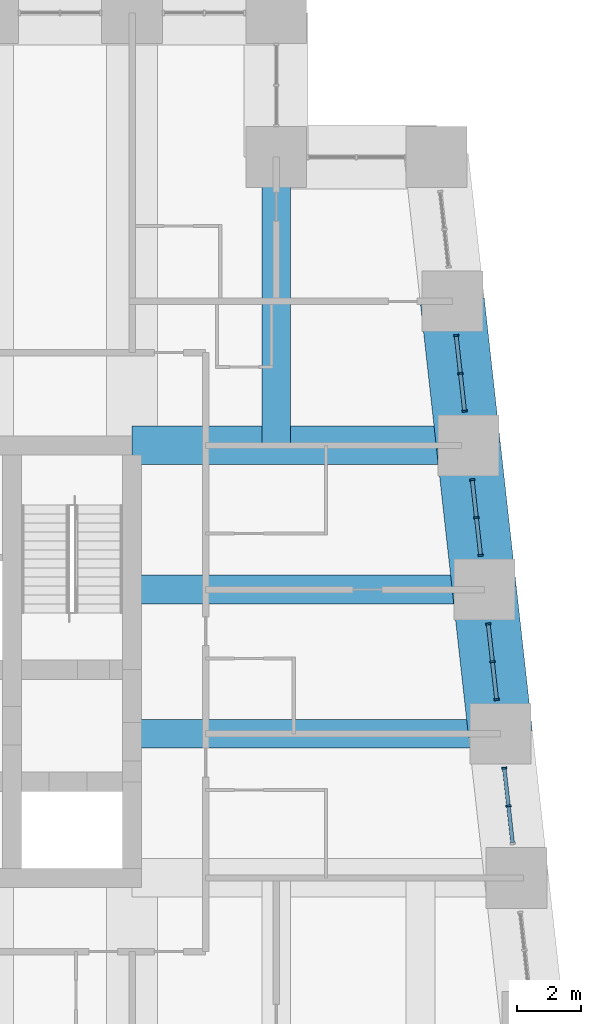
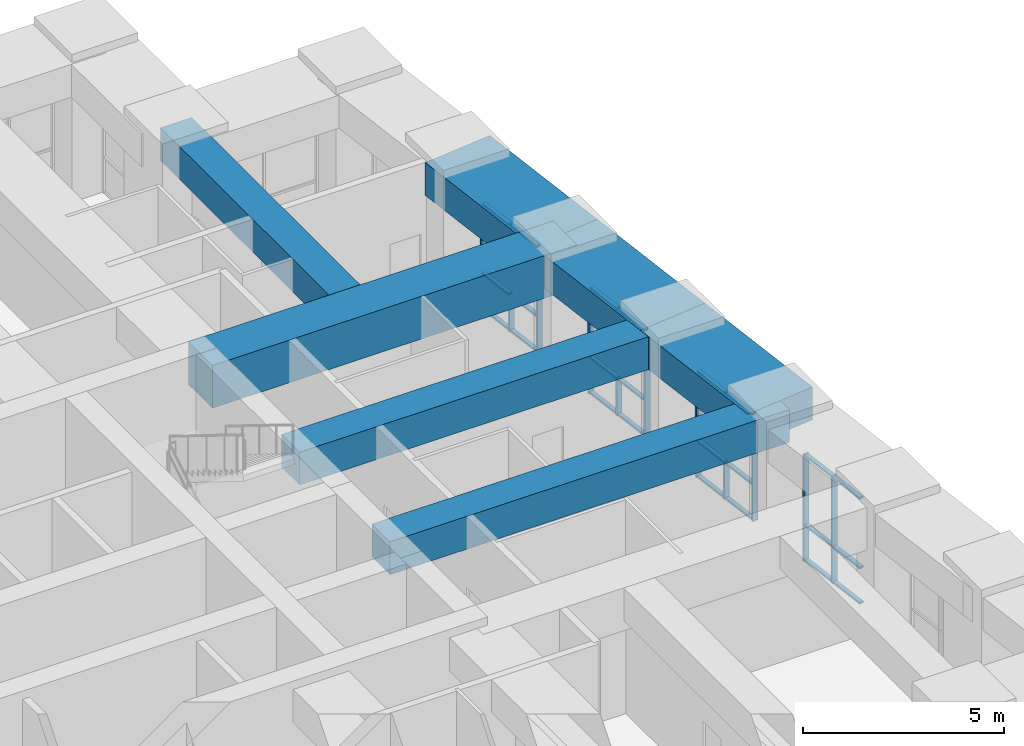
# One storey, part 6 of 16: 35 members, 7 beams, 4 elements without a shape of their own.
"""IFC4 building model written with IfcOpenShell, lengths in metres."""

from ifc_helpers import new_model, si_unit, direction, frame, origin, origin_2d, place, context, subcontext, project, spatial, rectangle, extrude, material, material_profile, profile_set, type_object, element, aggregate, save


model = new_model("IFC4")

# Units and contexts
model_context = context("Model", 3, precision=1e-05, world=origin(), true_north=direction((0.0, 1.0)))
body_context = subcontext(model_context, "Body", "Model", "MODEL_VIEW")
ifc_project = project(units=[si_unit("LENGTHUNIT", "METRE"), si_unit("AREAUNIT", "SQUARE_METRE"), si_unit("VOLUMEUNIT", "CUBIC_METRE"), si_unit("PLANEANGLEUNIT", "RADIAN"), si_unit("MASSUNIT", "GRAM", prefix="KILO")], contexts=[model_context])

# Site, building, storey
site_placement = place(None, origin())
site = spatial("IfcSite", under=ifc_project, at=site_placement, CompositionType="ELEMENT")
building_placement = place(site_placement, origin())
building = spatial("IfcBuilding", under=site, at=building_placement, Name="Kilele Tower Hotel", CompositionType="ELEMENT")
storey_placement = place(building_placement, frame((0.0, 0.0, 157.89990234375)))
storey = spatial("IfcBuildingStorey", under=building, at=storey_placement, Name="L40", CompositionType="ELEMENT", Elevation=157.89990234375)

# Beams
ifc_material_1 = material(Name="Concrete C60/75", Category="concrete")
ifc_material_profile_1 = material_profile(ifc_material_1, rectangle(XDim=0.89990234375, YDim=1.0, at=origin_2d()))
ifc_profile_set_1 = profile_set([ifc_material_profile_1], Name="Concrete C60/75")
beam_type_1 = type_object("IfcBeamType", Name="Beam RC 900x1000 C60/75", PredefinedType="BEAM", material=ifc_profile_set_1)
beam_1_placement = place(storey_placement, frame((47.5, 18.0, 3.75), z_axis=(-1.0, 0.0, 0.0), x_axis=(0.0, -1.0, 0.0)))
element("IfcBeam", 1, at=beam_1_placement, inside=storey, type_object=beam_type_1, Name="Beam B8 level L41", PredefinedType="BEAM", context=body_context, shape_type="SweptSolid", body=[
    extrude(rectangle(XDim=0.89990234375, YDim=1.0, at=origin_2d()), origin(), (0.0, 0.0, 1.0), 11.5),
])
beam_2_placement = place(storey_placement, frame((47.0, 22.5, 3.75), z_axis=(-1.0, 0.0, 0.0), x_axis=(0.0, -1.0, 0.0)))
element("IfcBeam", 2, at=beam_2_placement, inside=storey, type_object=beam_type_1, Name="Beam B8 level L41", PredefinedType="BEAM", context=body_context, shape_type="SweptSolid", body=[
    extrude(rectangle(XDim=0.89990234375, YDim=1.0, at=origin_2d()), origin(), (0.0, 0.0, 1.0), 11.0),
])
beam_3_placement = place(storey_placement, frame((40.5, 36.0, 3.75), z_axis=(0.0, -1.0, 0.0), x_axis=(1.0, 0.0, 0.0)))
element("IfcBeam", 3, at=beam_3_placement, inside=storey, type_object=beam_type_1, Name="Beam B8 level L41", PredefinedType="BEAM", context=body_context, shape_type="SweptSolid", body=[
    extrude(rectangle(XDim=0.89990234375, YDim=1.0, at=origin_2d()), origin(), (0.0, 0.0, 1.0), 9.0),
])
ifc_material_2 = material(Name="Concrete C60/75", Category="concrete")
ifc_material_profile_2 = material_profile(ifc_material_2, rectangle(XDim=1.199951171875, YDim=1.300048828125, at=origin_2d()))
ifc_profile_set_2 = profile_set([ifc_material_profile_2], Name="Concrete C60/75")
beam_type_2 = type_object("IfcBeamType", Name="Girder RC 1200x1300 C60/75 mid span", PredefinedType="BEAM", material=ifc_profile_set_2)
beam_4_placement = place(storey_placement, frame((46.5, 27.0, 3.60009765625), z_axis=(-1.0, 0.0, 0.0), x_axis=(0.0, -1.0, 0.0)))
element("IfcBeam", 4, at=beam_4_placement, inside=storey, type_object=beam_type_2, Name="Girder G3 level L41", PredefinedType="BEAM", context=body_context, shape_type="SweptSolid", body=[
    extrude(rectangle(XDim=1.199951171875, YDim=1.300048828125, at=origin_2d()), origin(), (0.0, 0.0, 1.0), 10.5),
])

# Curtain wall, members
ifc_material_3 = material(Name="Aluminium curtain wall, clear double glazing", Category="aluminium")
curtain_wall_type = type_object("IfcCurtainWallType", Name="Club lounge curtain wall CW-4", PredefinedType="NOTDEFINED", material=ifc_material_3)
curtain_wall_1_placement = place(storey_placement, origin())
curtain_wall_1 = element("IfcCurtainWall", 5, at=curtain_wall_1_placement, inside=storey, type_object=curtain_wall_type, Name="Club lounge curtain wall CW-4 L40", PredefinedType="NOTDEFINED")
ifc_material_4 = material(Name="Aluminium EN AW-6063 T6", Category="aluminium")
ifc_material_profile_3 = material_profile(ifc_material_4, rectangle(XDim=0.159912109375, YDim=0.06005859375, at=origin_2d()))
ifc_profile_set_3 = profile_set([ifc_material_profile_3], Name="Aluminium EN AW-6063 T6")
member_type_1 = type_object("IfcMemberType", Name="Mullion 60x160 CW-4", PredefinedType="MULLION", material=ifc_profile_set_3)
member_1_placement = place(storey_placement, frame((47.75, 15.75, 0.0), z_axis=(0.0, 0.0, 1.0), x_axis=(-0.993883734714, -0.110431525712, 0.0)))
member_1 = element("IfcMember", 6, at=member_1_placement, type_object=member_type_1, Name="CW-4 mullion 2", PredefinedType="MULLION", context=body_context, shape_type="SweptSolid", body=[
    extrude(rectangle(XDim=0.159912109375, YDim=0.06005859375, at=origin_2d()), origin(), (0.0, 0.0, 1.0), 3.25),
])
member_2_placement = place(storey_placement, frame((47.619140625, 16.927490234375, 0.0), z_axis=(0.0, 0.0, 1.0), x_axis=(-0.993883734714, -0.110431525712, 0.0)))
member_2 = element("IfcMember", 7, at=member_2_placement, type_object=member_type_1, Name="CW-4 mullion 3", PredefinedType="MULLION", context=body_context, shape_type="SweptSolid", body=[
    extrude(rectangle(XDim=0.159912109375, YDim=0.06005859375, at=origin_2d()), origin(), (0.0, 0.0, 1.0), 3.25),
])

curtain_wall_2_placement = place(storey_placement, origin())
curtain_wall_2 = element("IfcCurtainWall", 8, at=curtain_wall_2_placement, inside=storey, type_object=curtain_wall_type, Name="Club lounge curtain wall CW-4 L40", PredefinedType="NOTDEFINED")
member_3_placement = place(storey_placement, frame((47.380859375, 19.072509765625, 0.0), z_axis=(0.0, 0.0, 1.0), x_axis=(-0.993883734714, -0.110431525712, 0.0)))
member_3 = element("IfcMember", 9, at=member_3_placement, type_object=member_type_1, Name="CW-4 mullion 1", PredefinedType="MULLION", context=body_context, shape_type="SweptSolid", body=[
    extrude(rectangle(XDim=0.159912109375, YDim=0.06005859375, at=origin_2d()), origin(), (0.0, 0.0, 1.0), 3.25),
])
member_4_placement = place(storey_placement, frame((47.25, 20.25, 0.0), z_axis=(0.0, 0.0, 1.0), x_axis=(-0.993883734714, -0.110431525712, 0.0)))
member_4 = element("IfcMember", 10, at=member_4_placement, type_object=member_type_1, Name="CW-4 mullion 2", PredefinedType="MULLION", context=body_context, shape_type="SweptSolid", body=[
    extrude(rectangle(XDim=0.159912109375, YDim=0.06005859375, at=origin_2d()), origin(), (0.0, 0.0, 1.0), 3.25),
])
member_5_placement = place(storey_placement, frame((47.119140625, 21.427490234375, 0.0), z_axis=(0.0, 0.0, 1.0), x_axis=(-0.993883734714, -0.110431525712, 0.0)))
member_5 = element("IfcMember", 11, at=member_5_placement, type_object=member_type_1, Name="CW-4 mullion 3", PredefinedType="MULLION", context=body_context, shape_type="SweptSolid", body=[
    extrude(rectangle(XDim=0.159912109375, YDim=0.06005859375, at=origin_2d()), origin(), (0.0, 0.0, 1.0), 3.25),
])

curtain_wall_3_placement = place(storey_placement, origin())
curtain_wall_3 = element("IfcCurtainWall", 12, at=curtain_wall_3_placement, inside=storey, type_object=curtain_wall_type, Name="Club lounge curtain wall CW-4 L40", PredefinedType="NOTDEFINED")
member_6_placement = place(storey_placement, frame((46.880859375, 23.572509765625, 0.0), z_axis=(0.0, 0.0, 1.0), x_axis=(-0.993883734714, -0.110431525712, 0.0)))
member_6 = element("IfcMember", 13, at=member_6_placement, type_object=member_type_1, Name="CW-4 mullion 1", PredefinedType="MULLION", context=body_context, shape_type="SweptSolid", body=[
    extrude(rectangle(XDim=0.159912109375, YDim=0.06005859375, at=origin_2d()), origin(), (0.0, 0.0, 1.0), 3.25),
])
member_7_placement = place(storey_placement, frame((46.75, 24.75, 0.0), z_axis=(0.0, 0.0, 1.0), x_axis=(-0.993883734714, -0.110431525712, 0.0)))
member_7 = element("IfcMember", 14, at=member_7_placement, type_object=member_type_1, Name="CW-4 mullion 2", PredefinedType="MULLION", context=body_context, shape_type="SweptSolid", body=[
    extrude(rectangle(XDim=0.159912109375, YDim=0.06005859375, at=origin_2d()), origin(), (0.0, 0.0, 1.0), 3.25),
])
member_8_placement = place(storey_placement, frame((46.619140625, 25.927490234375, 0.0), z_axis=(0.0, 0.0, 1.0), x_axis=(-0.993883734714, -0.110431525712, 0.0)))
member_8 = element("IfcMember", 15, at=member_8_placement, type_object=member_type_1, Name="CW-4 mullion 3", PredefinedType="MULLION", context=body_context, shape_type="SweptSolid", body=[
    extrude(rectangle(XDim=0.159912109375, YDim=0.06005859375, at=origin_2d()), origin(), (0.0, 0.0, 1.0), 3.25),
])

curtain_wall_4_placement = place(storey_placement, origin())
curtain_wall_4 = element("IfcCurtainWall", 16, at=curtain_wall_4_placement, inside=storey, type_object=curtain_wall_type, Name="Club lounge curtain wall CW-4 L40", PredefinedType="NOTDEFINED")
member_9_placement = place(storey_placement, frame((46.380859375, 28.072509765625, 0.0), z_axis=(0.0, 0.0, 1.0), x_axis=(-0.993883734714, -0.110431525712, 0.0)))
member_9 = element("IfcMember", 17, at=member_9_placement, type_object=member_type_1, Name="CW-4 mullion 1", PredefinedType="MULLION", context=body_context, shape_type="SweptSolid", body=[
    extrude(rectangle(XDim=0.159912109375, YDim=0.06005859375, at=origin_2d()), origin(), (0.0, 0.0, 1.0), 3.25),
])
member_10_placement = place(storey_placement, frame((46.25, 29.25, 0.0), z_axis=(0.0, 0.0, 1.0), x_axis=(-0.993883734714, -0.110431525712, 0.0)))
member_10 = element("IfcMember", 18, at=member_10_placement, type_object=member_type_1, Name="CW-4 mullion 2", PredefinedType="MULLION", context=body_context, shape_type="SweptSolid", body=[
    extrude(rectangle(XDim=0.159912109375, YDim=0.06005859375, at=origin_2d()), origin(), (0.0, 0.0, 1.0), 3.25),
])
member_11_placement = place(storey_placement, frame((46.119140625, 30.427490234375, 0.0), z_axis=(0.0, 0.0, 1.0), x_axis=(-0.993883734714, -0.110431525712, 0.0)))
member_11 = element("IfcMember", 19, at=member_11_placement, type_object=member_type_1, Name="CW-4 mullion 3", PredefinedType="MULLION", context=body_context, shape_type="SweptSolid", body=[
    extrude(rectangle(XDim=0.159912109375, YDim=0.06005859375, at=origin_2d()), origin(), (0.0, 0.0, 1.0), 3.25),
])

# Beams
ifc_material_5 = material(Name="Concrete C60/75", Category="concrete")
ifc_material_profile_4 = material_profile(ifc_material_5, rectangle(XDim=2.0, YDim=1.0, at=origin_2d()))
ifc_profile_set_4 = profile_set([ifc_material_profile_4], Name="Concrete C60/75")
beam_type_3 = type_object("IfcBeamType", Name="Spandrel RC 2000x1000 C60/75", PredefinedType="SPANDREL", material=ifc_profile_set_4)
for number, where, z_axis, x_axis, name in (
    (20, (47.5, 18.0, 3.75), (-0.110431526075, 0.993883734674, 0.0), (-0.993883734674, -0.110431526075, 0.0), "Spandrel SP3 level L41"),
    (21, (47.0, 22.5, 3.75), (-0.110431526075, 0.993883734674, 0.0), (-0.993883734674, -0.110431526075, 0.0), "Spandrel SP3 level L41"),
    (22, (46.5, 27.0, 3.75), (-0.110431526075, 0.993883734674, 0.0), (-0.993883734674, -0.110431526075, 0.0), "Spandrel SP3 level L41"),
):
    element("IfcBeam", number, at=place(storey_placement, frame(where, z_axis=z_axis, x_axis=x_axis)), inside=storey, type_object=beam_type_3, Name=name, PredefinedType="SPANDREL", context=body_context, shape_type="SweptSolid", body=[
        extrude(rectangle(XDim=2.0, YDim=1.0, at=origin_2d()), origin(), (0.0, 0.0, 1.0), 4.527587890625),
    ])

# Member
ifc_material_6 = material(Name="Aluminium EN AW-6063 T6", Category="aluminium")
ifc_material_profile_5 = material_profile(ifc_material_6, rectangle(XDim=0.1201171875, YDim=0.06005859375, at=origin_2d()))
ifc_profile_set_5 = profile_set([ifc_material_profile_5], Name="Aluminium EN AW-6063 T6")
member_type_2 = type_object("IfcMemberType", Name="Transom 60x120 CW-4", PredefinedType="USERDEFINED", material=ifc_profile_set_5)
member_12_placement = place(storey_placement, frame((47.87744140625, 14.602294921875, 0.030029296875), z_axis=(-0.11026476151, 0.993902249907, 0.0), x_axis=(-0.993902249907, -0.11026476151, 0.0)))
member_12 = element("IfcMember", 23, at=member_12_placement, type_object=member_type_2, Name="CW-4 transom 1.1", ObjectType="TRANSOM", PredefinedType="USERDEFINED", context=body_context, shape_type="SweptSolid", body=[
    extrude(rectangle(XDim=0.1201171875, YDim=0.06005859375, at=origin_2d()), origin(), (0.0, 0.0, 1.0), 1.124755859375),
])

member_13_placement = place(storey_placement, frame((47.87744140625, 14.602294921875, 1.10009765625), z_axis=(-0.11026476151, 0.993902249907, 0.0), x_axis=(-0.993902249907, -0.11026476151, 0.0)))
member_13 = element("IfcMember", 24, at=member_13_placement, type_object=member_type_2, Name="CW-4 transom 1.2", ObjectType="TRANSOM", PredefinedType="USERDEFINED", context=body_context, shape_type="SweptSolid", body=[
    extrude(rectangle(XDim=0.1201171875, YDim=0.06005859375, at=origin_2d()), origin(), (0.0, 0.0, 1.0), 1.124755859375),
])

member_14_placement = place(storey_placement, frame((47.87744140625, 14.602294921875, 3.22021484375), z_axis=(-0.11026476151, 0.993902249907, 0.0), x_axis=(-0.993902249907, -0.11026476151, 0.0)))
member_14 = element("IfcMember", 25, at=member_14_placement, type_object=member_type_2, Name="CW-4 transom 1.3", ObjectType="TRANSOM", PredefinedType="USERDEFINED", context=body_context, shape_type="SweptSolid", body=[
    extrude(rectangle(XDim=0.1201171875, YDim=0.06005859375, at=origin_2d()), origin(), (0.0, 0.0, 1.0), 1.124755859375),
])

member_15_placement = place(storey_placement, frame((47.74658203125, 15.77978515625, 0.030029296875), z_axis=(-0.11026476151, 0.993902249907, 0.0), x_axis=(-0.993902249907, -0.11026476151, 0.0)))
member_15 = element("IfcMember", 26, at=member_15_placement, type_object=member_type_2, Name="CW-4 transom 2.1", ObjectType="TRANSOM", PredefinedType="USERDEFINED", context=body_context, shape_type="SweptSolid", body=[
    extrude(rectangle(XDim=0.1201171875, YDim=0.06005859375, at=origin_2d()), origin(), (0.0, 0.0, 1.0), 1.124755859375),
])

member_16_placement = place(storey_placement, frame((47.74658203125, 15.77978515625, 1.10009765625), z_axis=(-0.11026476151, 0.993902249907, 0.0), x_axis=(-0.993902249907, -0.11026476151, 0.0)))
member_16 = element("IfcMember", 27, at=member_16_placement, type_object=member_type_2, Name="CW-4 transom 2.2", ObjectType="TRANSOM", PredefinedType="USERDEFINED", context=body_context, shape_type="SweptSolid", body=[
    extrude(rectangle(XDim=0.1201171875, YDim=0.06005859375, at=origin_2d()), origin(), (0.0, 0.0, 1.0), 1.124755859375),
])

member_17_placement = place(storey_placement, frame((47.74658203125, 15.77978515625, 3.22021484375), z_axis=(-0.11026476151, 0.993902249907, 0.0), x_axis=(-0.993902249907, -0.11026476151, 0.0)))
member_17 = element("IfcMember", 28, at=member_17_placement, type_object=member_type_2, Name="CW-4 transom 2.3", ObjectType="TRANSOM", PredefinedType="USERDEFINED", context=body_context, shape_type="SweptSolid", body=[
    extrude(rectangle(XDim=0.1201171875, YDim=0.06005859375, at=origin_2d()), origin(), (0.0, 0.0, 1.0), 1.124755859375),
])

aggregate(curtain_wall_1, [member_1, member_2, member_12, member_13, member_14, member_15, member_16, member_17])

member_18_placement = place(storey_placement, frame((47.37744140625, 19.102294921875, 0.030029296875), z_axis=(-0.11026476151, 0.993902249907, 0.0), x_axis=(-0.993902249907, -0.11026476151, 0.0)))
member_18 = element("IfcMember", 29, at=member_18_placement, type_object=member_type_2, Name="CW-4 transom 1.1", ObjectType="TRANSOM", PredefinedType="USERDEFINED", context=body_context, shape_type="SweptSolid", body=[
    extrude(rectangle(XDim=0.1201171875, YDim=0.06005859375, at=origin_2d()), origin(), (0.0, 0.0, 1.0), 1.124755859375),
])

member_19_placement = place(storey_placement, frame((47.37744140625, 19.102294921875, 1.10009765625), z_axis=(-0.11026476151, 0.993902249907, 0.0), x_axis=(-0.993902249907, -0.11026476151, 0.0)))
member_19 = element("IfcMember", 30, at=member_19_placement, type_object=member_type_2, Name="CW-4 transom 1.2", ObjectType="TRANSOM", PredefinedType="USERDEFINED", context=body_context, shape_type="SweptSolid", body=[
    extrude(rectangle(XDim=0.1201171875, YDim=0.06005859375, at=origin_2d()), origin(), (0.0, 0.0, 1.0), 1.124755859375),
])

member_20_placement = place(storey_placement, frame((47.37744140625, 19.102294921875, 3.22021484375), z_axis=(-0.11026476151, 0.993902249907, 0.0), x_axis=(-0.993902249907, -0.11026476151, 0.0)))
member_20 = element("IfcMember", 31, at=member_20_placement, type_object=member_type_2, Name="CW-4 transom 1.3", ObjectType="TRANSOM", PredefinedType="USERDEFINED", context=body_context, shape_type="SweptSolid", body=[
    extrude(rectangle(XDim=0.1201171875, YDim=0.06005859375, at=origin_2d()), origin(), (0.0, 0.0, 1.0), 1.124755859375),
])

member_21_placement = place(storey_placement, frame((47.24658203125, 20.27978515625, 0.030029296875), z_axis=(-0.11026476151, 0.993902249907, 0.0), x_axis=(-0.993902249907, -0.11026476151, 0.0)))
member_21 = element("IfcMember", 32, at=member_21_placement, type_object=member_type_2, Name="CW-4 transom 2.1", ObjectType="TRANSOM", PredefinedType="USERDEFINED", context=body_context, shape_type="SweptSolid", body=[
    extrude(rectangle(XDim=0.1201171875, YDim=0.06005859375, at=origin_2d()), origin(), (0.0, 0.0, 1.0), 1.124755859375),
])

member_22_placement = place(storey_placement, frame((47.24658203125, 20.27978515625, 1.10009765625), z_axis=(-0.11026476151, 0.993902249907, 0.0), x_axis=(-0.993902249907, -0.11026476151, 0.0)))
member_22 = element("IfcMember", 33, at=member_22_placement, type_object=member_type_2, Name="CW-4 transom 2.2", ObjectType="TRANSOM", PredefinedType="USERDEFINED", context=body_context, shape_type="SweptSolid", body=[
    extrude(rectangle(XDim=0.1201171875, YDim=0.06005859375, at=origin_2d()), origin(), (0.0, 0.0, 1.0), 1.124755859375),
])

member_23_placement = place(storey_placement, frame((47.24658203125, 20.27978515625, 3.22021484375), z_axis=(-0.11026476151, 0.993902249907, 0.0), x_axis=(-0.993902249907, -0.11026476151, 0.0)))
member_23 = element("IfcMember", 34, at=member_23_placement, type_object=member_type_2, Name="CW-4 transom 2.3", ObjectType="TRANSOM", PredefinedType="USERDEFINED", context=body_context, shape_type="SweptSolid", body=[
    extrude(rectangle(XDim=0.1201171875, YDim=0.06005859375, at=origin_2d()), origin(), (0.0, 0.0, 1.0), 1.124755859375),
])

aggregate(curtain_wall_2, [member_3, member_4, member_5, member_18, member_19, member_20, member_21, member_22, member_23])

member_24_placement = place(storey_placement, frame((46.87744140625, 23.602294921875, 0.030029296875), z_axis=(-0.11026476151, 0.993902249907, 0.0), x_axis=(-0.993902249907, -0.11026476151, 0.0)))
member_24 = element("IfcMember", 35, at=member_24_placement, type_object=member_type_2, Name="CW-4 transom 1.1", ObjectType="TRANSOM", PredefinedType="USERDEFINED", context=body_context, shape_type="SweptSolid", body=[
    extrude(rectangle(XDim=0.1201171875, YDim=0.06005859375, at=origin_2d()), origin(), (0.0, 0.0, 1.0), 1.124755859375),
])

member_25_placement = place(storey_placement, frame((46.87744140625, 23.602294921875, 1.10009765625), z_axis=(-0.11026476151, 0.993902249907, 0.0), x_axis=(-0.993902249907, -0.11026476151, 0.0)))
member_25 = element("IfcMember", 36, at=member_25_placement, type_object=member_type_2, Name="CW-4 transom 1.2", ObjectType="TRANSOM", PredefinedType="USERDEFINED", context=body_context, shape_type="SweptSolid", body=[
    extrude(rectangle(XDim=0.1201171875, YDim=0.06005859375, at=origin_2d()), origin(), (0.0, 0.0, 1.0), 1.124755859375),
])

member_26_placement = place(storey_placement, frame((46.87744140625, 23.602294921875, 3.22021484375), z_axis=(-0.11026476151, 0.993902249907, 0.0), x_axis=(-0.993902249907, -0.11026476151, 0.0)))
member_26 = element("IfcMember", 37, at=member_26_placement, type_object=member_type_2, Name="CW-4 transom 1.3", ObjectType="TRANSOM", PredefinedType="USERDEFINED", context=body_context, shape_type="SweptSolid", body=[
    extrude(rectangle(XDim=0.1201171875, YDim=0.06005859375, at=origin_2d()), origin(), (0.0, 0.0, 1.0), 1.124755859375),
])

member_27_placement = place(storey_placement, frame((46.74658203125, 24.77978515625, 0.030029296875), z_axis=(-0.11026476151, 0.993902249907, 0.0), x_axis=(-0.993902249907, -0.11026476151, 0.0)))
member_27 = element("IfcMember", 38, at=member_27_placement, type_object=member_type_2, Name="CW-4 transom 2.1", ObjectType="TRANSOM", PredefinedType="USERDEFINED", context=body_context, shape_type="SweptSolid", body=[
    extrude(rectangle(XDim=0.1201171875, YDim=0.06005859375, at=origin_2d()), origin(), (0.0, 0.0, 1.0), 1.124755859375),
])

member_28_placement = place(storey_placement, frame((46.74658203125, 24.77978515625, 1.10009765625), z_axis=(-0.11026476151, 0.993902249907, 0.0), x_axis=(-0.993902249907, -0.11026476151, 0.0)))
member_28 = element("IfcMember", 39, at=member_28_placement, type_object=member_type_2, Name="CW-4 transom 2.2", ObjectType="TRANSOM", PredefinedType="USERDEFINED", context=body_context, shape_type="SweptSolid", body=[
    extrude(rectangle(XDim=0.1201171875, YDim=0.06005859375, at=origin_2d()), origin(), (0.0, 0.0, 1.0), 1.124755859375),
])

member_29_placement = place(storey_placement, frame((46.74658203125, 24.77978515625, 3.22021484375), z_axis=(-0.11026476151, 0.993902249907, 0.0), x_axis=(-0.993902249907, -0.11026476151, 0.0)))
member_29 = element("IfcMember", 40, at=member_29_placement, type_object=member_type_2, Name="CW-4 transom 2.3", ObjectType="TRANSOM", PredefinedType="USERDEFINED", context=body_context, shape_type="SweptSolid", body=[
    extrude(rectangle(XDim=0.1201171875, YDim=0.06005859375, at=origin_2d()), origin(), (0.0, 0.0, 1.0), 1.124755859375),
])

aggregate(curtain_wall_3, [member_6, member_7, member_8, member_24, member_25, member_26, member_27, member_28, member_29])

member_30_placement = place(storey_placement, frame((46.37744140625, 28.102294921875, 0.030029296875), z_axis=(-0.11026476151, 0.993902249907, 0.0), x_axis=(-0.993902249907, -0.11026476151, 0.0)))
member_30 = element("IfcMember", 41, at=member_30_placement, type_object=member_type_2, Name="CW-4 transom 1.1", ObjectType="TRANSOM", PredefinedType="USERDEFINED", context=body_context, shape_type="SweptSolid", body=[
    extrude(rectangle(XDim=0.1201171875, YDim=0.06005859375, at=origin_2d()), origin(), (0.0, 0.0, 1.0), 1.124755859375),
])

member_31_placement = place(storey_placement, frame((46.37744140625, 28.102294921875, 1.10009765625), z_axis=(-0.11026476151, 0.993902249907, 0.0), x_axis=(-0.993902249907, -0.11026476151, 0.0)))
member_31 = element("IfcMember", 42, at=member_31_placement, type_object=member_type_2, Name="CW-4 transom 1.2", ObjectType="TRANSOM", PredefinedType="USERDEFINED", context=body_context, shape_type="SweptSolid", body=[
    extrude(rectangle(XDim=0.1201171875, YDim=0.06005859375, at=origin_2d()), origin(), (0.0, 0.0, 1.0), 1.124755859375),
])

member_32_placement = place(storey_placement, frame((46.37744140625, 28.102294921875, 3.22021484375), z_axis=(-0.11026476151, 0.993902249907, 0.0), x_axis=(-0.993902249907, -0.11026476151, 0.0)))
member_32 = element("IfcMember", 43, at=member_32_placement, type_object=member_type_2, Name="CW-4 transom 1.3", ObjectType="TRANSOM", PredefinedType="USERDEFINED", context=body_context, shape_type="SweptSolid", body=[
    extrude(rectangle(XDim=0.1201171875, YDim=0.06005859375, at=origin_2d()), origin(), (0.0, 0.0, 1.0), 1.124755859375),
])

member_33_placement = place(storey_placement, frame((46.24658203125, 29.27978515625, 0.030029296875), z_axis=(-0.11026476151, 0.993902249907, 0.0), x_axis=(-0.993902249907, -0.11026476151, 0.0)))
member_33 = element("IfcMember", 44, at=member_33_placement, type_object=member_type_2, Name="CW-4 transom 2.1", ObjectType="TRANSOM", PredefinedType="USERDEFINED", context=body_context, shape_type="SweptSolid", body=[
    extrude(rectangle(XDim=0.1201171875, YDim=0.06005859375, at=origin_2d()), origin(), (0.0, 0.0, 1.0), 1.124755859375),
])

member_34_placement = place(storey_placement, frame((46.24658203125, 29.27978515625, 1.10009765625), z_axis=(-0.11026476151, 0.993902249907, 0.0), x_axis=(-0.993902249907, -0.11026476151, 0.0)))
member_34 = element("IfcMember", 45, at=member_34_placement, type_object=member_type_2, Name="CW-4 transom 2.2", ObjectType="TRANSOM", PredefinedType="USERDEFINED", context=body_context, shape_type="SweptSolid", body=[
    extrude(rectangle(XDim=0.1201171875, YDim=0.06005859375, at=origin_2d()), origin(), (0.0, 0.0, 1.0), 1.124755859375),
])

member_35_placement = place(storey_placement, frame((46.24658203125, 29.27978515625, 3.22021484375), z_axis=(-0.11026476151, 0.993902249907, 0.0), x_axis=(-0.993902249907, -0.11026476151, 0.0)))
member_35 = element("IfcMember", 46, at=member_35_placement, type_object=member_type_2, Name="CW-4 transom 2.3", ObjectType="TRANSOM", PredefinedType="USERDEFINED", context=body_context, shape_type="SweptSolid", body=[
    extrude(rectangle(XDim=0.1201171875, YDim=0.06005859375, at=origin_2d()), origin(), (0.0, 0.0, 1.0), 1.124755859375),
])

aggregate(curtain_wall_4, [member_9, member_10, member_11, member_30, member_31, member_32, member_33, member_34, member_35])

save(model, "model.ifc")
